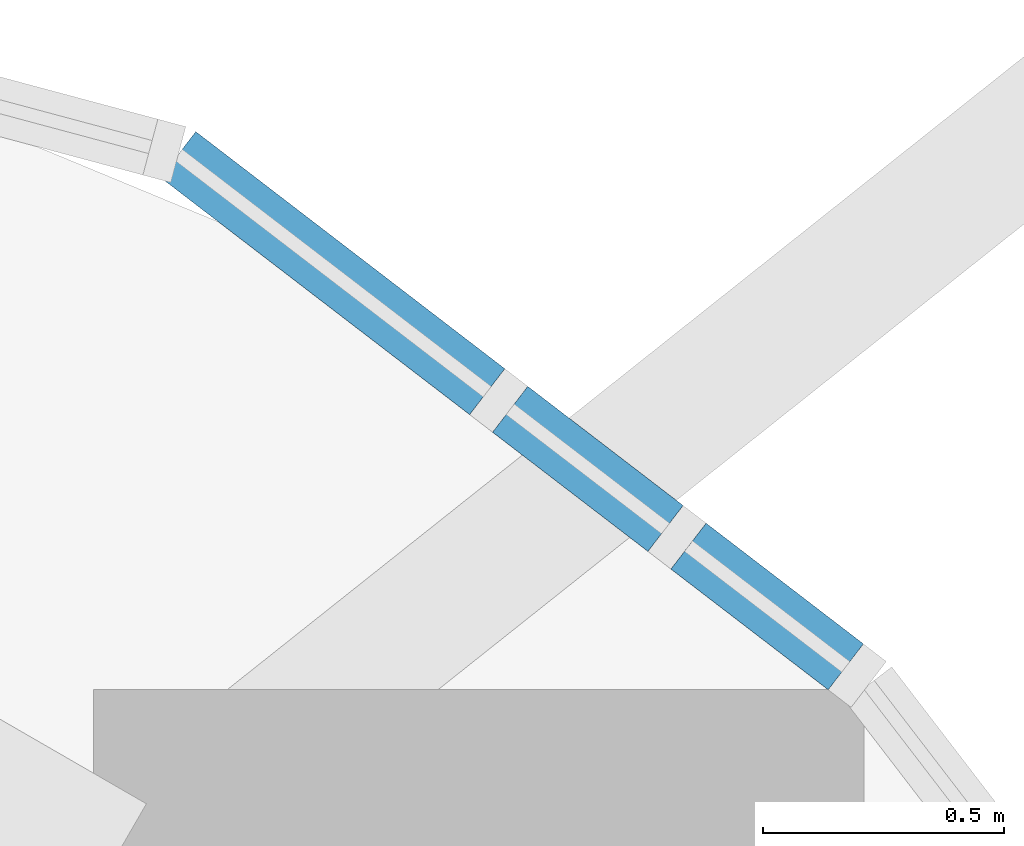
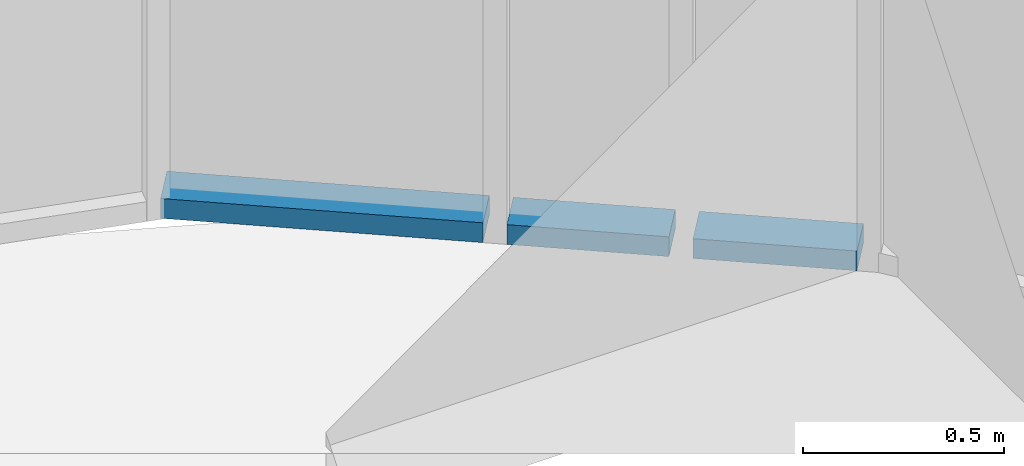
# One storey, part 17 of 33: 3 members, 3 elements without a shape of their own.
"""IFC4 building model written with IfcOpenShell, lengths in metres."""

from ifc_helpers import new_model, si_unit, direction, frame, origin, origin_2d, place, context, subcontext, project, spatial, rectangle, extrude, material, layer, layer_set, material_profile, profile_set, type_object, element, aggregate, save


model = new_model("IFC4")

# Units and contexts
model_context = context("Model", 3, precision=1e-05, world=origin(), true_north=direction((0.0, 1.0)))
body_context = subcontext(model_context, "Body", "Model", "MODEL_VIEW")
ifc_project = project(units=[si_unit("LENGTHUNIT", "METRE"), si_unit("AREAUNIT", "SQUARE_METRE"), si_unit("VOLUMEUNIT", "CUBIC_METRE"), si_unit("PLANEANGLEUNIT", "RADIAN"), si_unit("MASSUNIT", "GRAM", prefix="KILO")], contexts=[model_context])

# Site, building, storey
site_placement = place(None, origin())
site = spatial("IfcSite", under=ifc_project, at=site_placement, CompositionType="ELEMENT")
building_placement = place(site_placement, origin())
building = spatial("IfcBuilding", under=site, at=building_placement, Name="Marenta Gate Hotel Tower", CompositionType="ELEMENT")
storey_placement = place(building_placement, frame((0.0, 0.0, 137.300048828125)))
storey = spatial("IfcBuildingStorey", under=building, at=storey_placement, Name="L31", CompositionType="ELEMENT", Elevation=137.300048828125)

# Curtain wall, member
ifc_material_1 = material(Name="Tinted insulated glass in bronze anodised frame", Category="glass")
ifc_layer = layer(ifc_material_1, 0.1201171875)
ifc_layer_set = layer_set([ifc_layer], Name="Tinted insulated glass in bronze anodised frame")
curtain_wall_type = type_object("IfcCurtainWallType", Name="Tower unitised curtain wall CW1", PredefinedType="NOTDEFINED", material=ifc_layer_set)
curtain_wall_1_placement = place(storey_placement, origin())
curtain_wall_1 = element("IfcCurtainWall", 1, at=curtain_wall_1_placement, inside=storey, type_object=curtain_wall_type, Name="CW1 run G22", PredefinedType="NOTDEFINED")
ifc_material_2 = material(Name="Bronze anodised aluminium", Category="aluminium")
ifc_material_profile = material_profile(ifc_material_2, rectangle(XDim=0.1201171875, YDim=0.06005859375, at=origin_2d()), Name="Transom CW1 60x120 bronze anodised aluminium")
ifc_profile_set = profile_set([ifc_material_profile], Name="Bronze anodised aluminium")
member_type = type_object("IfcMemberType", Name="Transom CW1 60x120 bronze anodised aluminium", PredefinedType="USERDEFINED", material=ifc_profile_set)
member_1_placement = place(storey_placement, frame((25.597900390625, 26.382080078125, 0.030029296875), z_axis=(-0.793482352244, 0.608593260459, 0.0), x_axis=(-0.608593260459, -0.793482352244, 0.0)))
member_1 = element("IfcMember", 2, at=member_1_placement, type_object=member_type, Name="CW1 transom 1.1", ObjectType="TRANSOM", PredefinedType="USERDEFINED", context=body_context, shape_type="SweptSolid", body=[
    extrude(rectangle(XDim=0.1201171875, YDim=0.06005859375, at=origin_2d()), origin(), (0.0, 0.0, 1.0), 0.411865234375),
])
aggregate(curtain_wall_1, [member_1])

curtain_wall_2_placement = place(storey_placement, origin())
curtain_wall_2 = element("IfcCurtainWall", 3, at=curtain_wall_2_placement, inside=storey, type_object=curtain_wall_type, Name="CW1 run G23", PredefinedType="NOTDEFINED")
member_2_placement = place(storey_placement, frame((25.223388671875, 26.66943359375, 0.030029296875), z_axis=(-0.793471096038, 0.608607935992, 0.0), x_axis=(-0.608607935992, -0.793471096038, 0.0)))
member_2 = element("IfcMember", 4, at=member_2_placement, type_object=member_type, Name="CW1 transom 1.1", ObjectType="TRANSOM", PredefinedType="USERDEFINED", context=body_context, shape_type="SweptSolid", body=[
    extrude(rectangle(XDim=0.1201171875, YDim=0.06005859375, at=origin_2d()), origin(), (0.0, 0.0, 1.0), 0.40673828125),
])
aggregate(curtain_wall_2, [member_2])

curtain_wall_3_placement = place(storey_placement, origin())
curtain_wall_3 = element("IfcCurtainWall", 5, at=curtain_wall_3_placement, inside=storey, type_object=curtain_wall_type, Name="CW1 run G24", PredefinedType="NOTDEFINED")
member_3_placement = place(storey_placement, frame((24.85302734375, 26.95361328125, 0.030029296875), z_axis=(-0.793397450201, 0.608703939542, 0.0), x_axis=(-0.608703939542, -0.793397450201, 0.0)))
member_3 = element("IfcMember", 6, at=member_3_placement, type_object=member_type, Name="CW1 transom 1.1", ObjectType="TRANSOM", PredefinedType="USERDEFINED", context=body_context, shape_type="SweptSolid", body=[
    extrude(rectangle(XDim=0.1201171875, YDim=0.06005859375, at=origin_2d()), origin(), (0.0, 0.0, 1.0), 0.80908203125),
])
aggregate(curtain_wall_3, [member_3])

save(model, "model.ifc")
